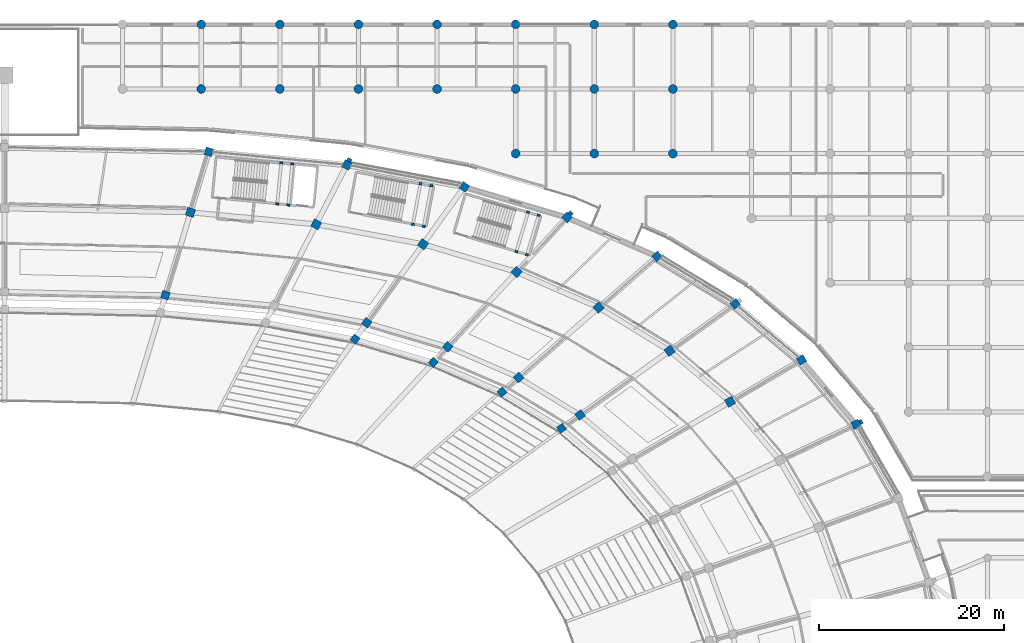
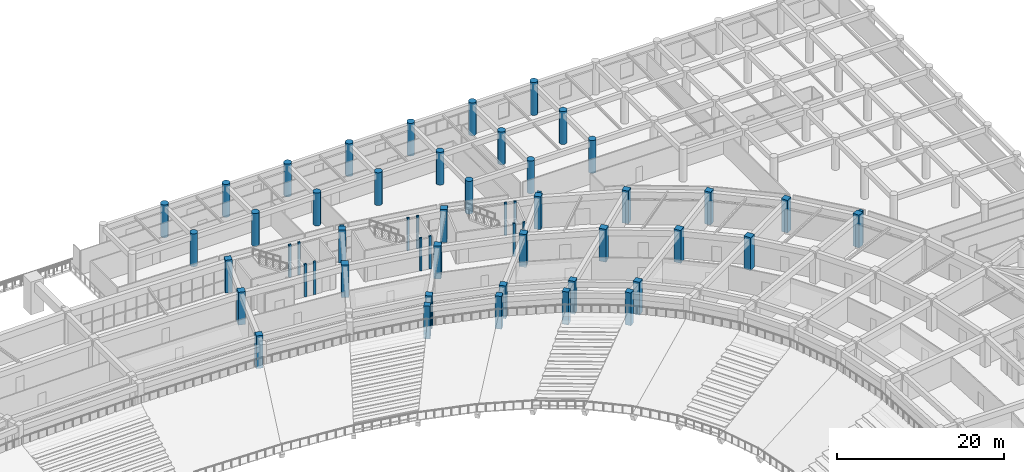
# One storey, part 9 of 152: 56 columns.
"""IFC4 building model written with IfcOpenShell, lengths in metres."""

import ifcopenshell
import ifcopenshell.guid

model = None  # the IFC model being written
_history = None  # IfcOwnerHistory: only IFC2X3 demands one
_inside = {}  # id of a spatial element -> (the spatial element, [elements in it])
_under = {}  # id of a project, library or spatial element -> (it, [spatial elements below it])
_declared = {}  # id of a project -> (the project, [libraries it declares])
_typed = {}  # id of a type object -> (the type object, [elements of that type])
_made_of = {}  # id of a material, layer set ... -> (it, [elements and type objects made of it])


def new_model(schema):
    """Start an empty IFC model of exactly this schema.

    Asked for "IFC4X3", IfcOpenShell would pick the latest addendum, in which some entities
    have other attributes; the version numbers below select the first issue.
    IFC2X3 requires an IfcOwnerHistory on every rooted entity: one is made here for all.
    """
    global model, _history
    if schema == "IFC4X3":
        model = ifcopenshell.file(schema_version=(4, 3, 0, 0))
    else:
        model = ifcopenshell.file(schema=schema)
    _inside.clear()
    _under.clear()
    _declared.clear()
    _typed.clear()
    _made_of.clear()
    _history = None
    if model.schema == "IFC2X3":
        org = make("IfcOrganization", Name="unknown")
        user = make(
            "IfcPersonAndOrganization",
            ThePerson=make("IfcPerson", FamilyName="unknown"),
            TheOrganization=org,
        )
        app = make(
            "IfcApplication",
            ApplicationDeveloper=org,
            Version="unknown",
            ApplicationFullName="unknown",
            ApplicationIdentifier="unknown",
        )
        _history = make(
            "IfcOwnerHistory",
            OwningUser=user,
            OwningApplication=app,
            ChangeAction="ADDED",
            CreationDate=0,
        )
    return model


def make(cls, **values):
    """One entity of the class cls with the attributes given. An attribute that is None is left unset."""
    return model.create_entity(
        cls, **{name: value for name, value in values.items() if value is not None}
    )


def rooted(cls, **values):
    """An entity with a GlobalId (a new one), such as an element, a storey or a relation."""
    return make(cls, GlobalId=ifcopenshell.guid.new(), OwnerHistory=_history, **values)


def si_unit(unit_type, name, prefix=None):
    """IfcSIUnit, for example si_unit("LENGTHUNIT", "METRE", prefix="MILLI")."""
    return make("IfcSIUnit", UnitType=unit_type, Prefix=prefix, Name=name)


def assignment(units):
    """IfcUnitAssignment: the units of a project."""
    return None if units is None else make("IfcUnitAssignment", Units=units)


def point(xyz):
    """IfcCartesianPoint."""
    return None if xyz is None else make("IfcCartesianPoint", Coordinates=xyz)


def direction(xyz):
    """IfcDirection."""
    return None if xyz is None else make("IfcDirection", DirectionRatios=xyz)


def frame(location, z_axis=None, x_axis=None):
    """IfcAxis2Placement3D, a coordinate frame: its origin and axes. An axis left out is left unset."""
    return make(
        "IfcAxis2Placement3D",
        Location=point(location),
        Axis=direction(z_axis),
        RefDirection=direction(x_axis),
    )


def frame_2d(location, x_axis=None):
    """IfcAxis2Placement2D, a coordinate frame in the plane: its origin and x axis."""
    return make(
        "IfcAxis2Placement2D", Location=point(location), RefDirection=direction(x_axis)
    )


def origin():
    """The frame at (0, 0, 0) with its axes left unset."""
    return frame((0.0, 0.0, 0.0))


def origin_2d():
    """The frame at (0, 0) in the plane with its x axis left unset."""
    return frame_2d((0.0, 0.0))


def place(relative_to, where):
    """IfcLocalPlacement: puts the frame where relative to a parent placement (None: the world)."""
    return make(
        "IfcLocalPlacement", PlacementRelTo=relative_to, RelativePlacement=where
    )


def context(
    kind, dimensions, precision=None, world=None, true_north=None, identifier=None
):
    """IfcGeometricRepresentationContext, for example the 3D "Model" context."""
    return make(
        "IfcGeometricRepresentationContext",
        ContextIdentifier=identifier,
        ContextType=kind,
        CoordinateSpaceDimension=dimensions,
        Precision=precision,
        WorldCoordinateSystem=world,
        TrueNorth=true_north,
    )


def subcontext(parent, identifier, kind, view, scale=None):
    """IfcGeometricRepresentationSubContext, for example "Body" below "Model"."""
    return make(
        "IfcGeometricRepresentationSubContext",
        ContextIdentifier=identifier,
        ContextType=kind,
        ParentContext=parent,
        TargetScale=scale,
        TargetView=view,
    )


def project(units=None, contexts=None):
    """IfcProject with its units and contexts."""
    return rooted(
        "IfcProject",
        Name="project",
        RepresentationContexts=contexts,
        UnitsInContext=assignment(units),
    )


def spatial(cls, under=None, at=None, **own):
    """A site, building, storey or space (cls), placed at a placement, below another one or the project."""
    s = rooted(cls, ObjectPlacement=at, **own)
    if under is not None:
        _under.setdefault(under.id(), (under, []))[1].append(s)
    return s


def profile(cls, at=None, kind="AREA", **sizes):
    """A parametric profile (cls). Its sizes go by their IFC names, for example OverallWidth=200.0."""
    return make(cls, ProfileType=kind, Position=at, **sizes)


def rectangle(**sizes):
    """IfcRectangleProfileDef."""
    return profile("IfcRectangleProfileDef", **sizes)


def circle(**sizes):
    """IfcCircleProfileDef."""
    return profile("IfcCircleProfileDef", **sizes)


def extrude(swept, where, along, depth):
    """IfcExtrudedAreaSolid: the profile swept, set in the frame where, extruded along a direction by depth."""
    return make(
        "IfcExtrudedAreaSolid",
        SweptArea=swept,
        Position=where,
        ExtrudedDirection=direction(along),
        Depth=depth,
    )


def shape(context_of_items, identifier, shape_type, items):
    """IfcShapeRepresentation: the items that make up one representation, for example the "Body"."""
    return make(
        "IfcShapeRepresentation",
        ContextOfItems=context_of_items,
        RepresentationIdentifier=identifier,
        RepresentationType=shape_type,
        Items=items,
    )


def material(Name=None, Category=None):
    """IfcMaterial."""
    return make("IfcMaterial", Name=Name, Category=Category)


def material_profile(
    of_material, cross_section, Name=None, Category=None, Priority=None
):
    """IfcMaterialProfile: a cross section and its material."""
    return make(
        "IfcMaterialProfile",
        Name=Name,
        Material=of_material,
        Profile=cross_section,
        Priority=Priority,
        Category=Category,
    )


def profile_set(profiles, Name=None, composite=None):
    """IfcMaterialProfileSet."""
    return make(
        "IfcMaterialProfileSet",
        Name=Name,
        MaterialProfiles=profiles,
        CompositeProfile=composite,
    )


def made_of(thing, what):
    """Note that an element or type object is made of a material, layer set ...; save() writes the relation."""
    if what is not None:
        _made_of.setdefault(what.id(), (what, []))[1].append(thing)
    return thing


def type_object(cls, material=None, **own):
    """A type object (cls), such as IfcWallType, which elements share."""
    return made_of(rooted(cls, **own), material)


def element(
    cls,
    number,
    at=None,
    inside=None,
    cuts=None,
    type_object=None,
    material=None,
    context=None,
    identifier="Body",
    shape_type=None,
    held_by="IfcProductDefinitionShape",
    body=None,
    shapes=None,
    **own,
):
    """One element of the class cls, such as IfcWall. Its Tag is "e" and its number.

    at: its placement. inside: the storey or other place that contains it. cuts: it is an
    opening in that element (IfcRelVoidsElement). A single representation is given by context,
    identifier, shape_type and body (its items); several are given by shapes. held_by: the class
    of the entity that holds the representations. save() writes the other relations.
    """
    e = rooted(cls, Tag="e%d" % number, ObjectPlacement=at, **own)
    if body is not None:
        shapes = [shape(context, identifier, shape_type, body)]
    if shapes is not None:
        e.Representation = make(held_by, Representations=shapes)
    if inside is not None:
        _inside.setdefault(inside.id(), (inside, []))[1].append(e)
    if cuts is not None:
        rooted(
            "IfcRelVoidsElement", RelatingBuildingElement=cuts, RelatedOpeningElement=e
        )
    if type_object is not None:
        _typed.setdefault(type_object.id(), (type_object, []))[1].append(e)
    return made_of(e, material)


def aggregate(whole, parts):
    """IfcRelAggregates: a whole, such as a stair, and the parts it consists of."""
    return rooted("IfcRelAggregates", RelatingObject=whole, RelatedObjects=parts)


def save(model, path):
    """Write the relations noted so far, then the file.

    IfcRelAggregates (storeys below a building ...), IfcRelContainedInSpatialStructure (elements
    in a storey), IfcRelDefinesByType, IfcRelAssociatesMaterial and IfcRelDeclares: one each for
    every whole, place, type object, material and project.
    """
    for whole, parts in _under.values():
        aggregate(whole, parts)
    for where, things in _inside.values():
        rooted(
            "IfcRelContainedInSpatialStructure",
            RelatedElements=things,
            RelatingStructure=where,
        )
    for kind, things in _typed.values():
        rooted("IfcRelDefinesByType", RelatedObjects=things, RelatingType=kind)
    for what, things in _made_of.values():
        rooted("IfcRelAssociatesMaterial", RelatedObjects=things, RelatingMaterial=what)
    for by, libraries in _declared.values():
        rooted("IfcRelDeclares", RelatingContext=by, RelatedDefinitions=libraries)
    model.write(path)


model = new_model("IFC4")

# Units and contexts
model_context = context("Model", 3, precision=1e-05, world=origin(), true_north=direction((0.0, 1.0)))
body_context = subcontext(model_context, "Body", "Model", "MODEL_VIEW")
ifc_project = project(units=[si_unit("LENGTHUNIT", "METRE"), si_unit("AREAUNIT", "SQUARE_METRE"), si_unit("VOLUMEUNIT", "CUBIC_METRE"), si_unit("PLANEANGLEUNIT", "RADIAN"), si_unit("MASSUNIT", "GRAM", prefix="KILO")], contexts=[model_context])

# Site, building, storey
site_placement = place(None, origin())
site = spatial("IfcSite", under=ifc_project, at=site_placement, CompositionType="ELEMENT")
building_placement = place(site_placement, origin())
building = spatial("IfcBuilding", under=site, at=building_placement, Name="Mphavela Belvedere Stadium", CompositionType="ELEMENT")
storey_placement = place(building_placement, frame((0.0, 0.0, 5.39990234375)))
storey = spatial("IfcBuildingStorey", under=building, at=storey_placement, Name="L01", CompositionType="ELEMENT", Elevation=5.39990234375)

# Columns
ifc_material_1 = material(Name="Concrete C40/50", Category="concrete")
ifc_material_profile_1 = material_profile(ifc_material_1, rectangle(XDim=0.300048828125, YDim=0.219970703125, at=origin_2d()), Name="RC 300x220")
ifc_profile_set_1 = profile_set([ifc_material_profile_1], Name="Concrete C40/50")
column_type_1 = type_object("IfcColumnType", Name="COL-CORE-POST-300", PredefinedType="COLUMN", material=ifc_profile_set_1)
for number, where, z_axis, x_axis, name in (
    (1, (144.53515625, 154.541259765625, 0.0), (0.0, 0.0, 1.0), (0.995479460536, -0.094977069084, 0.0), "Core C03 stair frame column L01-1"),
    (2, (145.729736328125, 154.42724609375, 0.0), (0.0, 0.0, 1.0), (0.995479460536, -0.094977069084, 0.0), "Core C03 stair frame column L01-2"),
    (3, (146.154296875, 158.877197265625, 0.0), (0.0, 0.0, 1.0), (0.995479460536, -0.094977069084, 0.0), "Core C03 stair frame column L01-3"),
    (4, (144.959716796875, 158.990966796875, 0.0), (0.0, 0.0, 1.0), (0.995479460536, -0.094977069084, 0.0), "Core C03 stair frame column L01-4"),
    (5, (170.44189453125, 149.372802734375, 0.0), (0.0, 0.0, 1.0), (0.958670893355, -0.284517342588, 0.0), "Core P01 stair frame column L01-1"),
    (6, (171.59228515625, 149.031494140625, 0.0), (0.0, 0.0, 1.0), (0.958670893355, -0.284517342588, 0.0), "Core P01 stair frame column L01-2"),
    (7, (172.8642578125, 153.316650390625, 0.0), (0.0, 0.0, 1.0), (0.958670893355, -0.284517342588, 0.0), "Core P01 stair frame column L01-3"),
    (8, (171.7138671875, 153.658203125, 0.0), (0.0, 0.0, 1.0), (0.958670893355, -0.284517342588, 0.0), "Core P01 stair frame column L01-4"),
    (9, (159.233154296875, 152.34033203125, 0.0), (0.0, 0.0, 1.0), (0.983095502692, -0.183093507769, 0.0), "Core P02 stair frame column L01-1"),
    (10, (160.4130859375, 152.12060546875, 0.0), (0.0, 0.0, 1.0), (0.983095502692, -0.183093507769, 0.0), "Core P02 stair frame column L01-2"),
    (11, (161.2314453125, 156.514892578125, 0.0), (0.0, 0.0, 1.0), (0.983095502692, -0.183093507769, 0.0), "Core P02 stair frame column L01-3"),
    (12, (160.0517578125, 156.734619140625, 0.0), (0.0, 0.0, 1.0), (0.983095502692, -0.183093507769, 0.0), "Core P02 stair frame column L01-4"),
):
    element("IfcColumn", number, at=place(storey_placement, frame(where, z_axis=z_axis, x_axis=x_axis)), inside=storey, type_object=column_type_1, Name=name, PredefinedType="COLUMN", context=body_context, shape_type="SweptSolid", body=[
        extrude(rectangle(XDim=0.300048828125, YDim=0.219970703125, at=origin_2d()), origin(), (0.0, 0.0, 1.0), 4.800048828125),
    ])
ifc_material_2 = material(Name="Concrete C40/50", Category="concrete")
ifc_material_profile_2 = material_profile(ifc_material_2, circle(Radius=0.47509765625, at=origin_2d()), Name="COL D950")
ifc_profile_set_2 = profile_set([ifc_material_profile_2], Name="Concrete C40/50")
column_type_2 = type_object("IfcColumnType", Name="COL-DORIC-950", PredefinedType="COLUMN", material=ifc_profile_set_2)
for number, where, z_axis, x_axis, name in (
    (13, (136.2958984375, 167.0, 0.0), (0.0, 0.0, 1.0), (1.0, 0.0, 0.0), "North Mast and Ceremonial End Forecourt classical column L01 17-7"),
    (14, (136.2958984375, 174.0, 0.0), (0.0, 0.0, 1.0), (1.0, 0.0, 0.0), "North Mast and Ceremonial End Forecourt classical column L01 17-8"),
    (15, (144.81494140625, 167.0, 0.0), (0.0, 0.0, 1.0), (1.0, 0.0, 0.0), "North Mast and Ceremonial End Forecourt classical column L01 18-7"),
    (16, (144.81494140625, 174.0, 0.0), (0.0, 0.0, 1.0), (1.0, 0.0, 0.0), "North Mast and Ceremonial End Forecourt classical column L01 18-8"),
    (17, (153.3330078125, 167.0, 0.0), (0.0, 0.0, 1.0), (1.0, 0.0, 0.0), "North Mast and Ceremonial End Forecourt classical column L01 19-7"),
    (18, (153.3330078125, 174.0, 0.0), (0.0, 0.0, 1.0), (1.0, 0.0, 0.0), "North Mast and Ceremonial End Forecourt classical column L01 19-8"),
    (19, (161.85205078125, 167.0, 0.0), (0.0, 0.0, 1.0), (1.0, 0.0, 0.0), "North Mast and Ceremonial End Forecourt classical column L01 20-7"),
    (20, (161.85205078125, 174.0, 0.0), (0.0, 0.0, 1.0), (1.0, 0.0, 0.0), "North Mast and Ceremonial End Forecourt classical column L01 20-8"),
    (21, (170.3701171875, 160.0, 0.0), (0.0, 0.0, 1.0), (1.0, 0.0, 0.0), "North Mast and Ceremonial End Forecourt classical column L01 21-6"),
    (22, (170.3701171875, 167.0, 0.0), (0.0, 0.0, 1.0), (1.0, 0.0, 0.0), "North Mast and Ceremonial End Forecourt classical column L01 21-7"),
    (23, (170.3701171875, 174.0, 0.0), (0.0, 0.0, 1.0), (1.0, 0.0, 0.0), "North Mast and Ceremonial End Forecourt classical column L01 21-8"),
    (24, (178.888916015625, 160.0, 0.0), (0.0, 0.0, 1.0), (1.0, 0.0, 0.0), "North Mast and Ceremonial End Forecourt classical column L01 22-6"),
    (25, (178.888916015625, 167.0, 0.0), (0.0, 0.0, 1.0), (1.0, 0.0, 0.0), "North Mast and Ceremonial End Forecourt classical column L01 22-7"),
    (26, (178.888916015625, 174.0, 0.0), (0.0, 0.0, 1.0), (1.0, 0.0, 0.0), "North Mast and Ceremonial End Forecourt classical column L01 22-8"),
    (27, (187.406982421875, 160.0, 0.0), (0.0, 0.0, 1.0), (1.0, 0.0, 0.0), "North Mast and Ceremonial End Forecourt classical column L01 23-6"),
    (28, (187.406982421875, 167.0, 0.0), (0.0, 0.0, 1.0), (1.0, 0.0, 0.0), "North Mast and Ceremonial End Forecourt classical column L01 23-7"),
    (29, (187.406982421875, 174.0, 0.0), (0.0, 0.0, 1.0), (1.0, 0.0, 0.0), "North Mast and Ceremonial End Forecourt classical column L01 23-8"),
):
    element("IfcColumn", number, at=place(storey_placement, frame(where, z_axis=z_axis, x_axis=x_axis)), inside=storey, type_object=column_type_2, Name=name, PredefinedType="COLUMN", context=body_context, shape_type="SweptSolid", body=[
        extrude(circle(Radius=0.47509765625, at=origin_2d()), origin(), (0.0, 0.0, 1.0), 4.800048828125),
    ])
ifc_material_3 = material(Name="Concrete C40/50", Category="concrete")
ifc_material_profile_3 = material_profile(ifc_material_3, rectangle(XDim=0.800048828125, YDim=0.800048828125, at=origin_2d()), Name="RC 800x800")
ifc_profile_set_3 = profile_set([ifc_material_profile_3], Name="Concrete C40/50")
column_type_3 = type_object("IfcColumnType", Name="COL-RC800", PredefinedType="COLUMN", material=ifc_profile_set_3)
for number, where, z_axis, x_axis, name in (
    (30, (175.33740234375, 130.2314453125, 0.0), (0.0, 0.0, 1.0), (0.812897512265, 0.582406760395, 0.0), "Inner concourse column L01 R1-07"),
    (31, (168.88916015625, 134.154296875, 0.0), (0.0, 0.0, 1.0), (0.752529860433, 0.658558128912, 0.0), "Inner concourse column L01 R1-08"),
    (32, (161.450439453125, 137.37890625, 0.0), (0.0, 0.0, 1.0), (0.677903094969, 0.735151272753, 0.0), "Inner concourse column L01 R1-09"),
    (33, (152.961669921875, 139.898681640625, 0.0), (0.0, 0.0, 1.0), (0.582974127943, 0.812490717577, 0.0), "Inner concourse column L01 R1-10"),
):
    element("IfcColumn", number, at=place(storey_placement, frame(where, z_axis=z_axis, x_axis=x_axis)), inside=storey, type_object=column_type_3, Name=name, PredefinedType="COLUMN", context=body_context, shape_type="SweptSolid", body=[
        extrude(rectangle(XDim=0.800048828125, YDim=0.800048828125, at=origin_2d()), origin(), (0.0, 0.0, 1.0), 4.800048828125),
    ])
ifc_material_4 = material(Name="Concrete C40/50", Category="concrete")
ifc_material_profile_4 = material_profile(ifc_material_4, rectangle(XDim=0.85009765625, YDim=0.85009765625, at=origin_2d()), Name="RC 850x850")
ifc_profile_set_4 = profile_set([ifc_material_profile_4], Name="Concrete C40/50")
column_type_4 = type_object("IfcColumnType", Name="COL-RC850", PredefinedType="COLUMN", material=ifc_profile_set_4)
for number, where, z_axis, x_axis, name in (
    (34, (207.242431640625, 130.66162109375, 0.0), (0.0, 0.0, 1.0), (0.903858661687, 0.4278311813, 0.0), "Outer colonnade column L01 R4-05"),
    (35, (201.33837890625, 137.653564453125, 0.0), (0.0, 0.0, 1.0), (0.862513669207, 0.506033764121, 0.0), "Outer colonnade column L01 R4-06"),
    (36, (177.353759765625, 131.676025390625, 0.0), (0.0, 0.0, 1.0), (0.812897512265, 0.582406760395, 0.0), "Middle concourse column L01 R2-07"),
    (37, (194.155517578125, 143.714599609375, 0.0), (0.0, 0.0, 1.0), (0.812897512265, 0.582406760395, 0.0), "Outer colonnade column L01 R4-07"),
    (38, (170.68994140625, 135.72998046875, 0.0), (0.0, 0.0, 1.0), (0.752529860433, 0.658558128912, 0.0), "Middle concourse column L01 R2-08"),
    (39, (185.6962890625, 148.86083984375, 0.0), (0.0, 0.0, 1.0), (0.752529860433, 0.658558128912, 0.0), "Outer colonnade column L01 R4-08"),
    (40, (163.002685546875, 139.0625, 0.0), (0.0, 0.0, 1.0), (0.677903094969, 0.735151272753, 0.0), "Middle concourse column L01 R2-09"),
    (41, (175.9375, 153.09130859375, 0.0), (0.0, 0.0, 1.0), (0.677903094969, 0.735151272753, 0.0), "Outer colonnade column L01 R4-09"),
    (42, (154.230224609375, 141.66650390625, 0.0), (0.0, 0.0, 1.0), (0.582974127943, 0.812490717577, 0.0), "Middle concourse column L01 R2-10"),
    (43, (164.80126953125, 156.39697265625, 0.0), (0.0, 0.0, 1.0), (0.582974127943, 0.812490717577, 0.0), "Outer colonnade column L01 R4-10"),
    (44, (152.07275390625, 158.767333984375, 0.0), (0.0, 0.0, 1.0), (0.458959712465, 0.888457079624, 0.0), "Outer colonnade column L01 R4-11"),
    (45, (132.42041015625, 144.657470703125, 0.0), (0.0, 0.0, 1.0), (0.289198876314, 0.957269037387, 0.0), "Middle concourse column L01 R2-12"),
    (46, (137.114501953125, 160.19384765625, 0.0), (0.0, 0.0, 1.0), (0.289198876314, 0.957269037387, 0.0), "Outer colonnade column L01 R4-12"),
):
    element("IfcColumn", number, at=place(storey_placement, frame(where, z_axis=z_axis, x_axis=x_axis)), inside=storey, type_object=column_type_4, Name=name, PredefinedType="COLUMN", context=body_context, shape_type="SweptSolid", body=[
        extrude(rectangle(XDim=0.85009765625, YDim=0.85009765625, at=origin_2d()), origin(), (0.0, 0.0, 1.0), 4.800048828125),
    ])
ifc_material_5 = material(Name="Concrete C40/50", Category="concrete")
ifc_material_profile_5 = material_profile(ifc_material_5, rectangle(XDim=0.89990234375, YDim=0.89990234375, at=origin_2d()), Name="RC 900x900")
ifc_profile_set_5 = profile_set([ifc_material_profile_5], Name="Concrete C40/50")
column_type_5 = type_object("IfcColumnType", Name="COL-RC900", PredefinedType="COLUMN", material=ifc_profile_set_5)
for number, where, z_axis, x_axis, name in (
    (47, (193.600341796875, 133.11376953125, 0.0), (0.0, 0.0, 1.0), (0.862513669207, 0.506033764121, 0.0), "Main bowl column L01 R3-06"),
    (48, (187.061279296875, 138.631591796875, 0.0), (0.0, 0.0, 1.0), (0.812897512265, 0.582406760395, 0.0), "Main bowl column L01 R3-07"),
    (49, (179.360107421875, 143.31689453125, 0.0), (0.0, 0.0, 1.0), (0.752529860433, 0.658558128912, 0.0), "Main bowl column L01 R3-08"),
    (50, (170.476318359375, 147.16796875, 0.0), (0.0, 0.0, 1.0), (0.677903094969, 0.735151272753, 0.0), "Main bowl column L01 R3-09"),
    (51, (160.337890625, 150.177490234375, 0.0), (0.0, 0.0, 1.0), (0.582974127943, 0.812490717577, 0.0), "Main bowl column L01 R3-10"),
    (52, (148.750244140625, 152.33544921875, 0.0), (0.0, 0.0, 1.0), (0.458959712465, 0.888457079624, 0.0), "Main bowl column L01 R3-11"),
    (53, (135.1328125, 153.634033203125, 0.0), (0.0, 0.0, 1.0), (0.289198876314, 0.957269037387, 0.0), "Main bowl column L01 R3-12"),
):
    element("IfcColumn", number, at=place(storey_placement, frame(where, z_axis=z_axis, x_axis=x_axis)), inside=storey, type_object=column_type_5, Name=name, PredefinedType="COLUMN", context=body_context, shape_type="SweptSolid", body=[
        extrude(rectangle(XDim=0.89990234375, YDim=0.89990234375, at=origin_2d()), origin(), (0.0, 0.0, 1.0), 4.800048828125),
    ])
ifc_material_6 = material(Name="Concrete C40/50", Category="concrete")
ifc_material_profile_6 = material_profile(ifc_material_6, rectangle(XDim=0.5, YDim=0.35009765625, at=origin_2d()), Name="PIL 500x350")
ifc_profile_set_6 = profile_set([ifc_material_profile_6], Name="Concrete C40/50")
column_type_6 = type_object("IfcColumnType", Name="PIL-FLUTED-500", PredefinedType="PILASTER", material=ifc_profile_set_6)
for number, where, z_axis, x_axis, name in (
    (54, (207.78759765625, 130.91943359375, 0.0), (0.0, 0.0, 1.0), (-0.4278311813, 0.903858661687, 0.0), "Fluted classical pilaster L01-05"),
    (55, (176.346435546875, 153.53466796875, 0.0), (0.0, 0.0, 1.0), (-0.735151272753, 0.677903094969, 0.0), "Fluted classical pilaster L01-09"),
    (56, (152.349609375, 159.302978515625, 0.0), (0.0, 0.0, 1.0), (-0.888457079624, 0.458959712465, 0.0), "Fluted classical pilaster L01-11"),
):
    element("IfcColumn", number, at=place(storey_placement, frame(where, z_axis=z_axis, x_axis=x_axis)), inside=storey, type_object=column_type_6, Name=name, PredefinedType="PILASTER", context=body_context, shape_type="SweptSolid", body=[
        extrude(rectangle(XDim=0.5, YDim=0.35009765625, at=origin_2d()), origin(), (0.0, 0.0, 1.0), 4.800048828125),
    ])

save(model, "model.ifc")
